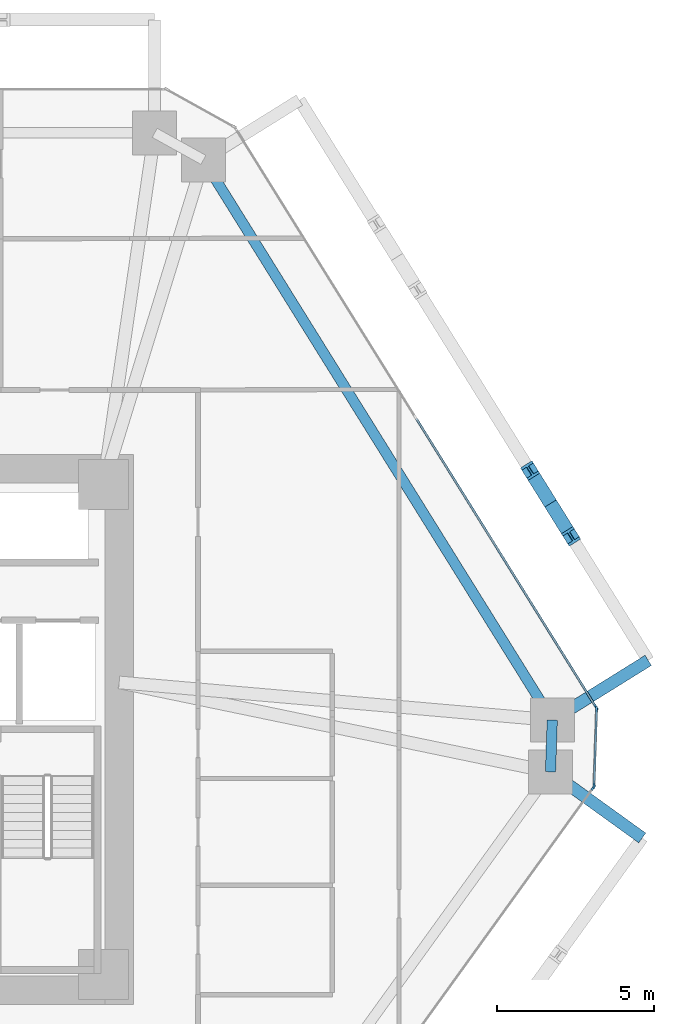
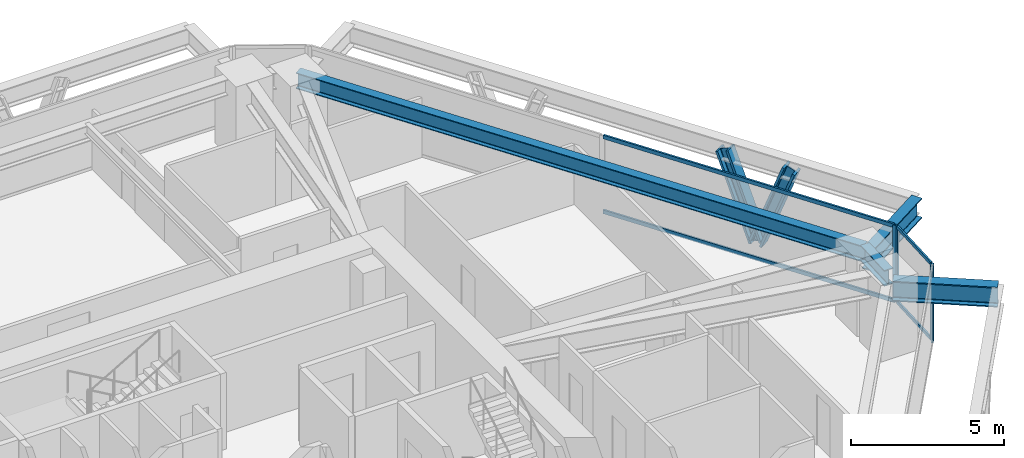
# One storey, part 6 of 15: 10 members, 4 beams, 3 elements without a shape of their own.
"""IFC4 building model written with IfcOpenShell, lengths in metres."""

from ifc_helpers import new_model, si_unit, direction, frame, origin, origin_2d, place, context, subcontext, project, spatial, rectangle, i_section, extrude, source, transform, mapped, material, layer, layer_set, material_profile, profile_set, type_object, type_shapes, element, aggregate, save


model = new_model("IFC4")

# Units and contexts
model_context = context("Model", 3, precision=1e-05, world=origin(), true_north=direction((0.0, 1.0)))
body_context = subcontext(model_context, "Body", "Model", "MODEL_VIEW")
ifc_project = project(units=[si_unit("LENGTHUNIT", "METRE"), si_unit("AREAUNIT", "SQUARE_METRE"), si_unit("VOLUMEUNIT", "CUBIC_METRE"), si_unit("PLANEANGLEUNIT", "RADIAN"), si_unit("MASSUNIT", "GRAM", prefix="KILO")], contexts=[model_context])

# Site, building, storey
site_placement = place(None, origin())
site = spatial("IfcSite", under=ifc_project, at=site_placement, CompositionType="ELEMENT")
building_placement = place(site_placement, origin())
building = spatial("IfcBuilding", under=site, at=building_placement, Name="Durnholm Broadcast Tower", CompositionType="ELEMENT")
storey_placement = place(building_placement, frame((0.0, 0.0, 55.5)))
storey = spatial("IfcBuildingStorey", under=building, at=storey_placement, Name="L13", CompositionType="ELEMENT", Elevation=55.5)

# Beams
ifc_material_1 = material(Name="Steel ASTM A992 Grade 50", Category="steel")
ifc_material_profile_1 = material_profile(ifc_material_1, i_section(OverallWidth=0.3291015625, OverallDepth=0.635009765625, WebThickness=0.017822265625, FlangeThickness=0.031005859375, FilletRadius=0.02783203125, at=origin_2d()), Name="W24X162")
ifc_profile_set_1 = profile_set([ifc_material_profile_1], Name="Steel ASTM A992 Grade 50")
beam_type_1 = type_object("IfcBeamType", Name="STL-SP-W24X162", PredefinedType="SPANDREL", material=ifc_profile_set_1)
shared_shape_1 = source(origin(), body_context, "Body", "SweptSolid", [
    extrude(i_section(OverallWidth=0.3291015625, OverallDepth=0.635009765625, WebThickness=0.017822265625, FlangeThickness=0.031005859375, FilletRadius=0.02783203125, at=origin_2d()), origin(), (0.0, 0.0, 1.0), 21.014404296875),
])
beam_1_placement = place(storey_placement, frame((12.982666015625, 18.138427734375, 2.7275390625), z_axis=(0.528595731543, -0.848873696491, 0.0), x_axis=(0.848873696491, 0.528595731543, 0.0)))
element("IfcBeam", 1, at=beam_1_placement, inside=storey, type_object=beam_type_1, Name="L13 perimeter spandrel girder 07", PredefinedType="SPANDREL", context=body_context, shape_type="MappedRepresentation", body=[
    mapped(shared_shape_1, transform((0.0, 0.0, 0.0), x_axis=(1.0, 0.0, 0.0), y_axis=(0.0, 1.0, 0.0), z_axis=(0.0, 0.0, 1.0), scale=1.0)),
])
shared_shape_2 = source(origin(), body_context, "Body", "SweptSolid", [
    extrude(i_section(OverallWidth=0.3291015625, OverallDepth=0.635009765625, WebThickness=0.017822265625, FlangeThickness=0.031005859375, FilletRadius=0.02783203125, at=origin_2d()), origin(), (0.0, 0.0, 1.0), 1.648193359375),
])
type_shapes(beam_type_1, [shared_shape_1, shared_shape_2])
beam_2_placement = place(storey_placement, frame((24.0908203125, 0.2998046875, 2.7275390625), z_axis=(-0.033921477804, -0.999424501072, 0.0), x_axis=(0.999424501072, -0.033921477804, 0.0)))
element("IfcBeam", 2, at=beam_2_placement, inside=storey, type_object=beam_type_1, Name="L13 perimeter spandrel girder 08", PredefinedType="SPANDREL", context=body_context, shape_type="MappedRepresentation", body=[
    mapped(shared_shape_2, transform((0.0, 0.0, 0.0), x_axis=(1.0, 0.0, 0.0), y_axis=(0.0, 1.0, 0.0), z_axis=(0.0, 0.0, 1.0), scale=1.0)),
])
ifc_material_profile_2 = material_profile(ifc_material_1, i_section(OverallWidth=0.385009765625, OverallDepth=0.802978515625, WebThickness=0.023681640625, FlangeThickness=0.0419921875, FilletRadius=0.032958984375, at=origin_2d()), Name="W30X261")
ifc_profile_set_2 = profile_set([ifc_material_profile_2], Name="Steel ASTM A992 Grade 50")
beam_type_2 = type_object("IfcBeamType", Name="BM-EXO-TIE", PredefinedType="USERDEFINED", material=ifc_profile_set_2)
shared_shape_3 = source(origin(), body_context, "Body", "SweptSolid", [
    extrude(i_section(OverallWidth=0.385009765625, OverallDepth=0.802978515625, WebThickness=0.023681640625, FlangeThickness=0.0419921875, FilletRadius=0.032958984375, at=origin_2d()), origin(), (0.0, 0.0, 1.0), 3.4560546875),
])
beam_3_placement = place(storey_placement, frame((24.212890625, 0.375732421875, 2.30859375), z_axis=(0.848874183218, 0.528594949906, 0.0), x_axis=(-0.528594949906, 0.848874183218, 0.0)))
element("IfcBeam", 3, at=beam_3_placement, inside=storey, type_object=beam_type_2, Name="L13 exoskeleton stand-off tie bracket F3.1", ObjectType="GIRDER", PredefinedType="USERDEFINED", context=body_context, shape_type="MappedRepresentation", body=[
    mapped(shared_shape_3, transform((0.0, 0.0, 0.0), x_axis=(1.0, 0.0, 0.0), y_axis=(0.0, 1.0, 0.0), z_axis=(0.0, 0.0, 1.0), scale=1.0)),
])
shared_shape_4 = source(origin(), body_context, "Body", "SweptSolid", [
    extrude(i_section(OverallWidth=0.385009765625, OverallDepth=0.802978515625, WebThickness=0.023681640625, FlangeThickness=0.0419921875, FilletRadius=0.032958984375, at=origin_2d()), origin(), (0.0, 0.0, 1.0), 3.455810546875),
])
type_shapes(beam_type_2, [shared_shape_3, shared_shape_4])
beam_4_placement = place(storey_placement, frame((24.15185546875, -1.431396484375, 2.30859375), z_axis=(0.811133512552, -0.584861030344, 0.0), x_axis=(0.584861030344, 0.811133512552, 0.0)))
element("IfcBeam", 4, at=beam_4_placement, inside=storey, type_object=beam_type_2, Name="L13 exoskeleton stand-off tie bracket F2.2", ObjectType="GIRDER", PredefinedType="USERDEFINED", context=body_context, shape_type="MappedRepresentation", body=[
    mapped(shared_shape_4, transform((0.0, 0.0, 0.0), x_axis=(1.0, 0.0, 0.0), y_axis=(0.0, 1.0, 0.0), z_axis=(0.0, 0.0, 1.0), scale=1.0)),
])

# Members
ifc_material_2 = material(Name="Steel ASTM A913 Grade 65", Category="steel")
ifc_material_profile_3 = material_profile(ifc_material_2, i_section(OverallWidth=0.43212890625, OverallDepth=0.497802734375, WebThickness=0.0556640625, FlangeThickness=0.0888671875, FilletRadius=0.030517578125, at=origin_2d()), Name="W14X500")
ifc_profile_set_3 = profile_set([ifc_material_profile_3], Name="Steel ASTM A913 Grade 65")
member_type_1 = type_object("IfcMemberType", Name="STL-DG-W14X500", PredefinedType="BRACE", material=ifc_profile_set_3)
shared_shape_5 = source(origin(), body_context, "Body", "SweptSolid", [
    extrude(i_section(OverallWidth=0.43212890625, OverallDepth=0.497802734375, WebThickness=0.0556640625, FlangeThickness=0.0888671875, FilletRadius=0.030517578125, at=origin_2d()), origin(), (0.0, 0.0, 1.0), 3.523193359375),
])
type_shapes(member_type_1, [shared_shape_5])
for number, where, z_axis, x_axis, name in (
    (5, (24.036376953125, 7.197509765625, -0.991455078125), (0.185157304084, -0.297277258428, 0.936665897941), (0.848819847179, 0.528682198523, 0.0), "L13 stand-off diagrid brace F3.D1.1"),
    (6, (24.036376953125, 7.197509765625, -0.991455078125), (-0.185090383068, 0.297281072018, 0.936677913861), (-0.848908635391, -0.528539618911, 0.0), "L13 stand-off diagrid brace F3.D1.2"),
):
    element("IfcMember", number, at=place(storey_placement, frame(where, z_axis=z_axis, x_axis=x_axis)), inside=storey, type_object=member_type_1, Name=name, PredefinedType="BRACE", context=body_context, shape_type="MappedRepresentation", body=[
        mapped(shared_shape_5, transform((0.0, 0.0, 0.0), x_axis=(1.0, 0.0, 0.0), y_axis=(0.0, 1.0, 0.0), z_axis=(0.0, 0.0, 1.0), scale=1.0)),
    ])

# Curtain wall, members
ifc_material_3 = material(Name="Aluminium and Solar Control IGU", Category="aluminium")
ifc_layer_1 = layer(ifc_material_3, 0.1650390625)
ifc_layer_set_1 = layer_set([ifc_layer_1], Name="Aluminium and Solar Control IGU")
curtain_wall_type_1 = type_object("IfcCurtainWallType", Name="CW-SYS-5", PredefinedType="NOTDEFINED", material=ifc_layer_set_1)
curtain_wall_1_placement = place(storey_placement, origin())
curtain_wall_1 = element("IfcCurtainWall", 7, at=curtain_wall_1_placement, inside=storey, type_object=curtain_wall_type_1, Name="L13 curtain wall CW-CORNER CW-L13-CRN-07", PredefinedType="NOTDEFINED")
ifc_material_4 = material(Name="Aluminium 6063-T6", Category="aluminium")
ifc_material_profile_4 = material_profile(ifc_material_4, rectangle(XDim=0.06494140625, YDim=0.1650390625, at=origin_2d()), Name="CWM65X165")
ifc_profile_set_4 = profile_set([ifc_material_profile_4], Name="Aluminium 6063-T6")
member_type_2 = type_object("IfcMemberType", Name="CW-SYS-5-MUL", PredefinedType="MULLION", material=ifc_profile_set_4)
shared_shape_6 = source(origin(), body_context, "Body", "SweptSolid", [
    extrude(rectangle(XDim=0.06494140625, YDim=0.1650390625, at=origin_2d()), origin(), (0.0, 0.0, 1.0), 3.06005859375),
])
type_shapes(member_type_2, [shared_shape_6])
member_1_placement = place(storey_placement, frame((25.50341796875, 0.6455078125, 0.0), z_axis=(0.0, 0.0, 1.0), x_axis=(0.999427277772, -0.033839569233, 0.0)))
member_1 = element("IfcMember", 8, at=member_1_placement, type_object=member_type_2, Name="CW-CORNER mullion 1", PredefinedType="MULLION", context=body_context, shape_type="MappedRepresentation", body=[
    mapped(shared_shape_6, transform((0.0, 0.0, 0.0), x_axis=(1.0, 0.0, 0.0), y_axis=(0.0, 1.0, 0.0), z_axis=(0.0, 0.0, 1.0), scale=1.0)),
])
member_2_placement = place(storey_placement, frame((25.4208984375, -1.7880859375, 0.0), z_axis=(0.0, 0.0, 1.0), x_axis=(0.999427277772, -0.033839569233, 0.0)))
member_2 = element("IfcMember", 9, at=member_2_placement, type_object=member_type_2, Name="CW-CORNER mullion 2", PredefinedType="MULLION", context=body_context, shape_type="MappedRepresentation", body=[
    mapped(shared_shape_6, transform((0.0, 0.0, 0.0), x_axis=(1.0, 0.0, 0.0), y_axis=(0.0, 1.0, 0.0), z_axis=(0.0, 0.0, 1.0), scale=1.0)),
])
ifc_material_profile_5 = material_profile(ifc_material_4, rectangle(XDim=0.06494140625, YDim=0.1298828125, at=origin_2d()), Name="CWT65X130")
ifc_profile_set_5 = profile_set([ifc_material_profile_5], Name="Aluminium 6063-T6")
member_type_3 = type_object("IfcMemberType", Name="CW-SYS-5-TRN", PredefinedType="USERDEFINED", material=ifc_profile_set_5)
shared_shape_7 = source(origin(), body_context, "Body", "SweptSolid", [
    extrude(rectangle(XDim=0.06494140625, YDim=0.1298828125, at=origin_2d()), origin(), (0.0, 0.0, 1.0), 2.3701171875),
])
type_shapes(member_type_3, [shared_shape_7])
member_3_placement = place(storey_placement, frame((25.502197265625, 0.613037109375, 0.032470703125), z_axis=(-0.033788158898, -0.999429017148, 0.0), x_axis=(0.999429017148, -0.033788158898, 0.0)))
member_3 = element("IfcMember", 10, at=member_3_placement, type_object=member_type_3, Name="CW-CORNER transom 1.1", ObjectType="TRANSOM", PredefinedType="USERDEFINED", context=body_context, shape_type="MappedRepresentation", body=[
    mapped(shared_shape_7, transform((0.0, 0.0, 0.0), x_axis=(1.0, 0.0, 0.0), y_axis=(0.0, 1.0, 0.0), z_axis=(0.0, 0.0, 1.0), scale=1.0)),
])
member_4_placement = place(storey_placement, frame((25.502197265625, 0.613037109375, 3.027587890625), z_axis=(-0.033788158898, -0.999429017148, 0.0), x_axis=(0.999429017148, -0.033788158898, 0.0)))
member_4 = element("IfcMember", 11, at=member_4_placement, type_object=member_type_3, Name="CW-CORNER transom 1.2", ObjectType="TRANSOM", PredefinedType="USERDEFINED", context=body_context, shape_type="MappedRepresentation", body=[
    mapped(shared_shape_7, transform((0.0, 0.0, 0.0), x_axis=(1.0, 0.0, 0.0), y_axis=(0.0, 1.0, 0.0), z_axis=(0.0, 0.0, 1.0), scale=1.0)),
])
aggregate(curtain_wall_1, [member_1, member_2, member_3, member_4])

# Curtain wall, member
ifc_layer_2 = layer(ifc_material_3, 0.18994140625)
ifc_layer_set_2 = layer_set([ifc_layer_2], Name="Aluminium and Solar Control IGU")
curtain_wall_type_2 = type_object("IfcCurtainWallType", Name="CW-SYS-3", PredefinedType="NOTDEFINED", material=ifc_layer_set_2)
curtain_wall_2_placement = place(storey_placement, origin())
curtain_wall_2 = element("IfcCurtainWall", 12, at=curtain_wall_2_placement, inside=storey, type_object=curtain_wall_type_2, Name="L13 curtain wall CW-Z12-VIS CW-L13-F06", PredefinedType="NOTDEFINED")
ifc_material_profile_6 = material_profile(ifc_material_4, rectangle(XDim=0.070068359375, YDim=0.18994140625, at=origin_2d()), Name="CWM70X190")
ifc_profile_set_6 = profile_set([ifc_material_profile_6], Name="Aluminium 6063-T6")
member_type_4 = type_object("IfcMemberType", Name="CW-SYS-3-MUL", PredefinedType="MULLION", material=ifc_profile_set_6)
shared_shape_8 = source(origin(), body_context, "Body", "SweptSolid", [
    extrude(rectangle(XDim=0.070068359375, YDim=0.18994140625, at=origin_2d()), origin(), (0.0, 0.0, 1.0), 3.06005859375),
])
type_shapes(member_type_4, [shared_shape_8])
member_5_placement = place(storey_placement, frame((25.48583984375, 0.707763671875, 0.0), z_axis=(0.0, 0.0, 1.0), x_axis=(0.848875785503, 0.528592376777, 0.0)))
member_5 = element("IfcMember", 13, at=member_5_placement, type_object=member_type_4, Name="CW-Z12-VIS mullion 3", PredefinedType="MULLION", context=body_context, shape_type="MappedRepresentation", body=[
    mapped(shared_shape_8, transform((0.0, 0.0, 0.0), x_axis=(1.0, 0.0, 0.0), y_axis=(0.0, 1.0, 0.0), z_axis=(0.0, 0.0, 1.0), scale=1.0)),
])

curtain_wall_3_placement = place(storey_placement, origin())
curtain_wall_3 = element("IfcCurtainWall", 14, at=curtain_wall_3_placement, inside=storey, type_object=curtain_wall_type_2, Name="L13 curtain wall CW-Z12-VIS CW-L13-F08", PredefinedType="NOTDEFINED")
member_6_placement = place(storey_placement, frame((25.3994140625, -1.848876953125, 0.0), z_axis=(0.0, 0.0, 1.0), x_axis=(0.81116057493, -0.584823496176, 0.0)))
member_6 = element("IfcMember", 15, at=member_6_placement, type_object=member_type_4, Name="CW-Z12-VIS mullion 1", PredefinedType="MULLION", context=body_context, shape_type="MappedRepresentation", body=[
    mapped(shared_shape_8, transform((0.0, 0.0, 0.0), x_axis=(1.0, 0.0, 0.0), y_axis=(0.0, 1.0, 0.0), z_axis=(0.0, 0.0, 1.0), scale=1.0)),
])
aggregate(curtain_wall_3, [member_6])

# Member
ifc_material_profile_7 = material_profile(ifc_material_4, rectangle(XDim=0.070068359375, YDim=0.14990234375, at=origin_2d()), Name="CWT70X150")
ifc_profile_set_7 = profile_set([ifc_material_profile_7], Name="Aluminium 6063-T6")
member_type_5 = type_object("IfcMemberType", Name="CW-SYS-3-TRN", PredefinedType="USERDEFINED", material=ifc_profile_set_7)
shared_shape_9 = source(origin(), body_context, "Body", "SweptSolid", [
    extrude(rectangle(XDim=0.070068359375, YDim=0.14990234375, at=origin_2d()), origin(), (0.0, 0.0, 1.0), 10.796630859375),
])
type_shapes(member_type_5, [shared_shape_9])
member_7_placement = place(storey_placement, frame((19.760498046875, 9.902587890625, 0.034912109375), z_axis=(0.528575362968, -0.848886379714, 0.0), x_axis=(0.848886379714, 0.528575362968, 0.0)))
member_7 = element("IfcMember", 16, at=member_7_placement, type_object=member_type_5, Name="CW-Z12-VIS transom 2.1", ObjectType="TRANSOM", PredefinedType="USERDEFINED", context=body_context, shape_type="MappedRepresentation", body=[
    mapped(shared_shape_9, transform((0.0, 0.0, 0.0), x_axis=(1.0, 0.0, 0.0), y_axis=(0.0, 1.0, 0.0), z_axis=(0.0, 0.0, 1.0), scale=1.0)),
])

member_8_placement = place(storey_placement, frame((19.760498046875, 9.902587890625, 3.02490234375), z_axis=(0.528575362968, -0.848886379714, 0.0), x_axis=(0.848886379714, 0.528575362968, 0.0)))
member_8 = element("IfcMember", 17, at=member_8_placement, type_object=member_type_5, Name="CW-Z12-VIS transom 2.2", ObjectType="TRANSOM", PredefinedType="USERDEFINED", context=body_context, shape_type="MappedRepresentation", body=[
    mapped(shared_shape_9, transform((0.0, 0.0, 0.0), x_axis=(1.0, 0.0, 0.0), y_axis=(0.0, 1.0, 0.0), z_axis=(0.0, 0.0, 1.0), scale=1.0)),
])

aggregate(curtain_wall_2, [member_5, member_7, member_8])

save(model, "model.ifc")
